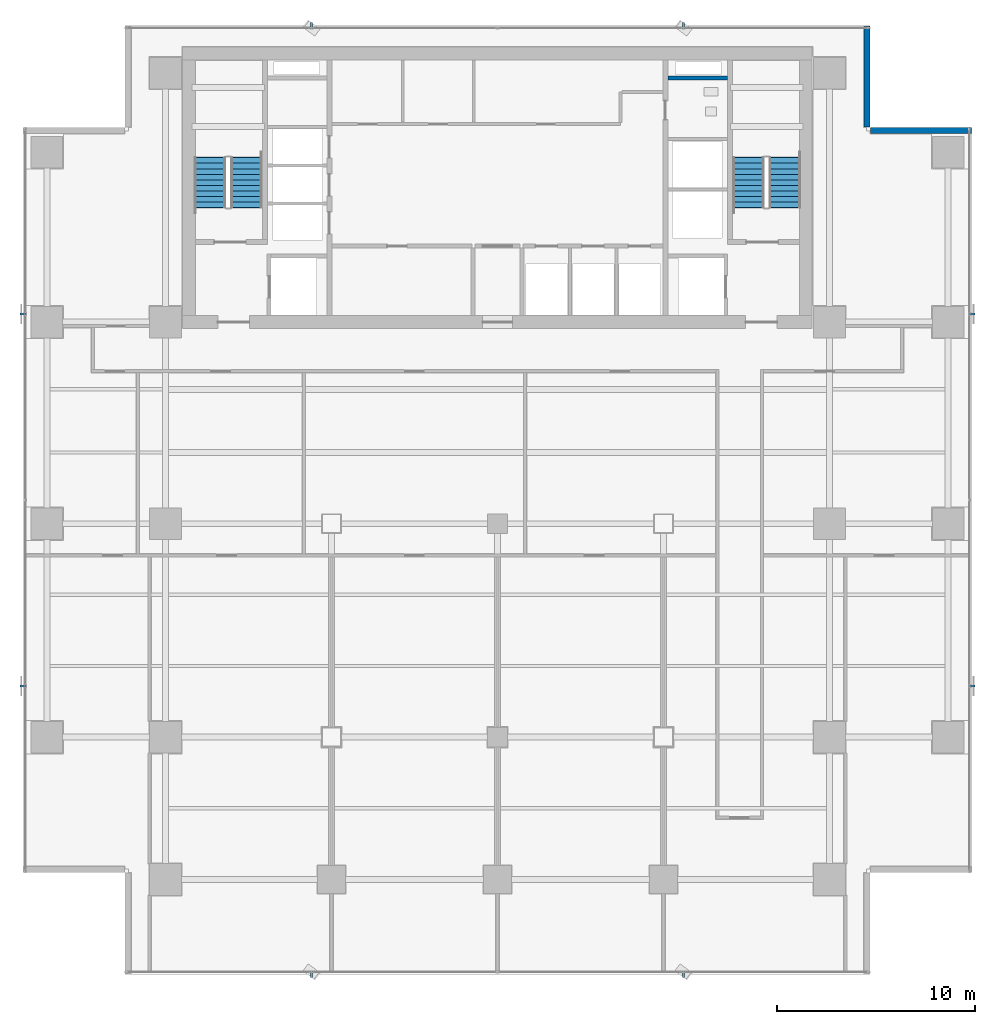
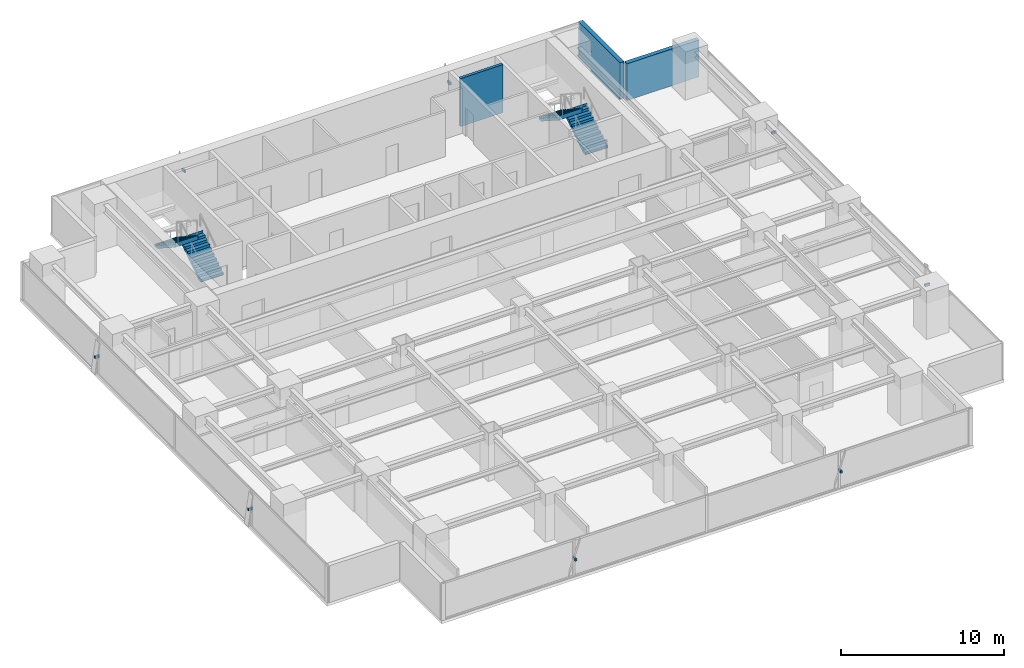
# One storey, part 23 of 28: 8 discrete accessories, 4 stair flights, 3 walls, 2 elements without a shape of their own.
"""IFC4 building model written with IfcOpenShell, lengths in metres."""

from ifc_helpers import new_model, si_unit, direction, frame, frame_2d, origin, origin_2d, place, context, subcontext, project, spatial, polyline, rectangle, outline, extrude, source, transform, mapped, material, layer, layer_set, material_profile, profile_set, type_object, element, aggregate, save


model = new_model("IFC4")

# Units and contexts
model_context = context("Model", 3, precision=1e-05, world=origin(), true_north=direction((0.0, 1.0)))
body_context = subcontext(model_context, "Body", "Model", "MODEL_VIEW")
ifc_project = project(units=[si_unit("LENGTHUNIT", "METRE"), si_unit("AREAUNIT", "SQUARE_METRE"), si_unit("VOLUMEUNIT", "CUBIC_METRE"), si_unit("PLANEANGLEUNIT", "RADIAN"), si_unit("MASSUNIT", "GRAM", prefix="KILO")], contexts=[model_context])

# Site, building, storey
site_placement = place(None, origin())
site = spatial("IfcSite", under=ifc_project, at=site_placement, CompositionType="ELEMENT")
building_placement = place(site_placement, origin())
building = spatial("IfcBuilding", under=site, at=building_placement, Name="Sumidabori Civic Tower", CompositionType="ELEMENT")
storey_placement = place(building_placement, frame((0.0, 0.0, 146.0)))
storey = spatial("IfcBuildingStorey", under=building, at=storey_placement, Name="L37", CompositionType="ELEMENT", Elevation=146.0)

# Walls
ifc_material_1 = material(Name="Concrete C50/60", Category="concrete")
ifc_layer_1 = layer(ifc_material_1, 0.199951171875, Name="Concrete C50/60")
ifc_layer_set_1 = layer_set([ifc_layer_1], Name="Concrete C50/60")
wall_type_1 = type_object("IfcWallType", Name="WL-SHAFT-200", PredefinedType="SHEAR", material=ifc_layer_set_1)
shared_shape_1 = source(origin(), body_context, "Body", "SweptSolid", [
    extrude(rectangle(XDim=3.02001953125, YDim=0.199951171875, at=frame_2d((1.510009765625, 0.0))), origin(), (0.0, 0.0, 1.0), 3.60009765625),
])
wall_placement = place(storey_placement, frame((8.625, 22.550048828125, 0.0), z_axis=(0.0, 0.0, 1.0), x_axis=(1.0, 0.0, 0.0)))
element("IfcWall", 1, at=wall_placement, inside=storey, type_object=wall_type_1, Name="Core Shear Wall L37 RIS2-S", PredefinedType="SHEAR", context=body_context, shape_type="MappedRepresentation", body=[
    mapped(shared_shape_1, transform((0.0, 0.0, 0.0), x_axis=(1.0, 0.0, 0.0), y_axis=(0.0, 1.0, 0.0), z_axis=(0.0, 0.0, 1.0), scale=1.0)),
])
ifc_material_2 = material(Name="Precast concrete C40/50", Category="concrete")
ifc_layer_2 = layer(ifc_material_2, 0.300048828125, Name="Precast concrete C40/50")
ifc_layer_set_2 = layer_set([ifc_layer_2], Name="Precast concrete C40/50")
wall_type_2 = type_object("IfcWallType", Name="WL-EXT-POD300", PredefinedType="STANDARD", material=ifc_layer_set_2)
shared_shape_2 = source(origin(), body_context, "Body", "SweptSolid", [
    extrude(rectangle(XDim=5.10986328125, YDim=0.300048828125, at=frame_2d((2.554931640625, 0.0))), origin(), (0.0, 0.0, 1.0), 2.760009765625),
])
for number, where, z_axis, x_axis, name in (
    (2, (23.97998046875, 19.89990234375, 0.0), (0.0, 0.0, 1.0), (-1.0, 0.0, 0.0), "Notched Corner Spandrel Band L37-05"),
    (3, (18.699951171875, 20.070068359375, 0.0), (0.0, 0.0, 1.0), (0.0, 1.0, 0.0), "Notched Corner Spandrel Band L37-06"),
):
    element("IfcWall", number, at=place(storey_placement, frame(where, z_axis=z_axis, x_axis=x_axis)), inside=storey, type_object=wall_type_2, Name=name, PredefinedType="STANDARD", context=body_context, shape_type="MappedRepresentation", body=[
        mapped(shared_shape_2, transform((0.0, 0.0, 0.0), x_axis=(1.0, 0.0, 0.0), y_axis=(0.0, 1.0, 0.0), z_axis=(0.0, 0.0, 1.0), scale=1.0)),
    ])

# Stair, stair flights
ifc_material_3 = material(Name="Concrete C40/50", Category="concrete")
stair_type = type_object("IfcStairType", Name="ST-CORE-1600", PredefinedType="HALF_TURN_STAIR", material=ifc_material_3)
stair_1_placement = place(storey_placement, origin())
stair_1 = element("IfcStair", 4, at=stair_1_placement, inside=storey, type_object=stair_type, Name="L37 ST-1", PredefinedType="HALF_TURN_STAIR")
stair_flight_type = type_object("IfcStairFlightType", Name="SF-CORE-1600", PredefinedType="STRAIGHT", material=ifc_material_3)
shared_shape_3 = source(origin(), body_context, "Body", "SweptSolid", [
    extrude(outline(polyline([(-0.02490234375, 0.0), (-0.02490234375, 0.0400390625), (0.0, 0.0400390625), (0.0, 0.179931640625), (0.280029296875, 0.179931640625), (0.280029296875, 0.360107421875), (0.56005859375, 0.360107421875), (0.56005859375, 0.5400390625), (0.840087890625, 0.5400390625), (0.840087890625, 0.719970703125), (1.1201171875, 0.719970703125), (1.1201171875, 0.89990234375), (1.39990234375, 0.89990234375), (1.39990234375, 1.080078125), (1.679931640625, 1.080078125), (1.679931640625, 1.260009765625), (1.9599609375, 1.260009765625), (1.9599609375, 1.43994140625), (2.239990234375, 1.43994140625), (2.239990234375, 1.6201171875), (2.52001953125, 1.6201171875), (2.52001953125, 1.800048828125), (2.544921875, 1.800048828125), (2.544921875, 1.650146484375), (2.52001953125, 1.44189453125), (0.277099609375, 0.0), (-0.02490234375, 0.0)])), frame((0.0, 0.800048828125, 0.0), z_axis=(0.0, -1.0, 0.0), x_axis=(1.0, 0.0, 0.0)), (0.0, 0.0, 1.0), 1.60009765625),
])
stair_flight_1_placement = place(storey_placement, frame((-12.699951171875, 16.0, 0.0), z_axis=(0.0, 0.0, 1.0), x_axis=(0.0, 1.0, 0.0)))
stair_flight_1 = element("IfcStairFlight", 5, at=stair_flight_1_placement, type_object=stair_flight_type, Name="ST-1 flight 1", NumberOfRisers=10, NumberOfTreads=9, PredefinedType="STRAIGHT", RiserHeight=0.18, TreadLength=0.28, context=body_context, shape_type="MappedRepresentation", body=[
    mapped(shared_shape_3, transform((0.0, 0.0, 0.0), x_axis=(1.0, 0.0, 0.0), y_axis=(0.0, 1.0, 0.0), z_axis=(0.0, 0.0, 1.0), scale=1.0)),
])
stair_flight_2_placement = place(storey_placement, frame((-14.5400390625, 18.52001953125, 1.800048828125), z_axis=(0.0, 0.0, 1.0), x_axis=(0.0, -1.0, 0.0)))
stair_flight_2 = element("IfcStairFlight", 6, at=stair_flight_2_placement, type_object=stair_flight_type, Name="ST-1 flight 2", NumberOfRisers=10, NumberOfTreads=9, PredefinedType="STRAIGHT", RiserHeight=0.18, TreadLength=0.28, context=body_context, shape_type="MappedRepresentation", body=[
    mapped(shared_shape_3, transform((0.0, 0.0, 0.0), x_axis=(1.0, 0.0, 0.0), y_axis=(0.0, 1.0, 0.0), z_axis=(0.0, 0.0, 1.0), scale=1.0)),
])
aggregate(stair_1, [stair_flight_1, stair_flight_2])

stair_2_placement = place(storey_placement, origin())
stair_2 = element("IfcStair", 7, at=stair_2_placement, inside=storey, type_object=stair_type, Name="L37 ST-2", PredefinedType="HALF_TURN_STAIR")
stair_flight_3_placement = place(storey_placement, frame((14.5400390625, 16.0, 0.0), z_axis=(0.0, 0.0, 1.0), x_axis=(0.0, 1.0, 0.0)))
stair_flight_3 = element("IfcStairFlight", 8, at=stair_flight_3_placement, type_object=stair_flight_type, Name="ST-2 flight 1", NumberOfRisers=10, NumberOfTreads=9, PredefinedType="STRAIGHT", RiserHeight=0.18, TreadLength=0.28, context=body_context, shape_type="MappedRepresentation", body=[
    mapped(shared_shape_3, transform((0.0, 0.0, 0.0), x_axis=(1.0, 0.0, 0.0), y_axis=(0.0, 1.0, 0.0), z_axis=(0.0, 0.0, 1.0), scale=1.0)),
])
stair_flight_4_placement = place(storey_placement, frame((12.699951171875, 18.52001953125, 1.800048828125), z_axis=(0.0, 0.0, 1.0), x_axis=(0.0, -1.0, 0.0)))
stair_flight_4 = element("IfcStairFlight", 9, at=stair_flight_4_placement, type_object=stair_flight_type, Name="ST-2 flight 2", NumberOfRisers=10, NumberOfTreads=9, PredefinedType="STRAIGHT", RiserHeight=0.18, TreadLength=0.28, context=body_context, shape_type="MappedRepresentation", body=[
    mapped(shared_shape_3, transform((0.0, 0.0, 0.0), x_axis=(1.0, 0.0, 0.0), y_axis=(0.0, 1.0, 0.0), z_axis=(0.0, 0.0, 1.0), scale=1.0)),
])
aggregate(stair_2, [stair_flight_3, stair_flight_4])

# Discrete accessories
ifc_material_4 = material(Name="Stainless Steel Hairline Finish", Category="steel")
ifc_material_profile = material_profile(ifc_material_4, rectangle(XDim=0.1201171875, YDim=0.179931640625, at=origin_2d()), Name="STEEL BRACKET 180x120")
ifc_profile_set = profile_set([ifc_material_profile], Name="Stainless Steel Hairline Finish")
discrete_accessory_type = type_object("IfcDiscreteAccessoryType", Name="AC-BRK-180", PredefinedType="BRACKET", material=ifc_profile_set)
shared_shape_4 = source(origin(), body_context, "Body", "SweptSolid", [
    extrude(rectangle(XDim=0.1201171875, YDim=0.179931640625, at=origin_2d()), origin(), (0.0, 0.0, 1.0), 0.329833984375),
])
for number, where, z_axis, x_axis, name in (
    (10, (23.830078125, -8.2099609375, 1.3701171875), (1.0, 0.0, 0.0), (0.0, 1.0, 0.0), "Bronze Fin Fixing Bracket L37-01"),
    (11, (23.830078125, 10.610107421875, 1.3701171875), (1.0, 0.0, 0.0), (0.0, 1.0, 0.0), "Bronze Fin Fixing Bracket L37-03"),
    (12, (-23.830078125, 10.610107421875, 1.3701171875), (-1.0, 0.0, 0.0), (0.0, -1.0, 0.0), "Bronze Fin Fixing Bracket L37-01"),
    (13, (-23.830078125, -8.2099609375, 1.3701171875), (-1.0, 0.0, 0.0), (0.0, -1.0, 0.0), "Bronze Fin Fixing Bracket L37-03"),
):
    element("IfcDiscreteAccessory", number, at=place(storey_placement, frame(where, z_axis=z_axis, x_axis=x_axis)), inside=storey, type_object=discrete_accessory_type, Name=name, PredefinedType="BRACKET", context=body_context, shape_type="MappedRepresentation", body=[
        mapped(shared_shape_4, transform((0.0, 0.0, 0.0), x_axis=(1.0, 0.0, 0.0), y_axis=(0.0, 1.0, 0.0), z_axis=(0.0, 0.0, 1.0), scale=1.0)),
    ])
shared_shape_5 = source(origin(), body_context, "Body", "SweptSolid", [
    extrude(rectangle(XDim=0.1201171875, YDim=0.179931640625, at=origin_2d()), origin(), (0.0, 0.0, 1.0), 0.330078125),
])
for number, where, z_axis, x_axis, name in (
    (14, (-9.409912109375, -22.6298828125, 1.3701171875), (0.0, -1.0, 0.0), (1.0, 0.0, 0.0), "Bronze Fin Fixing Bracket L37-01"),
    (15, (9.409912109375, -22.6298828125, 1.3701171875), (0.0, -1.0, 0.0), (1.0, 0.0, 0.0), "Bronze Fin Fixing Bracket L37-03"),
    (16, (9.409912109375, 25.030029296875, 1.3701171875), (0.0, 1.0, 0.0), (-1.0, 0.0, 0.0), "Bronze Fin Fixing Bracket L37-01"),
    (17, (-9.409912109375, 25.030029296875, 1.3701171875), (0.0, 1.0, 0.0), (-1.0, 0.0, 0.0), "Bronze Fin Fixing Bracket L37-03"),
):
    element("IfcDiscreteAccessory", number, at=place(storey_placement, frame(where, z_axis=z_axis, x_axis=x_axis)), inside=storey, type_object=discrete_accessory_type, Name=name, PredefinedType="BRACKET", context=body_context, shape_type="MappedRepresentation", body=[
        mapped(shared_shape_5, transform((0.0, 0.0, 0.0), x_axis=(1.0, 0.0, 0.0), y_axis=(0.0, 1.0, 0.0), z_axis=(0.0, 0.0, 1.0), scale=1.0)),
    ])

save(model, "model.ifc")
